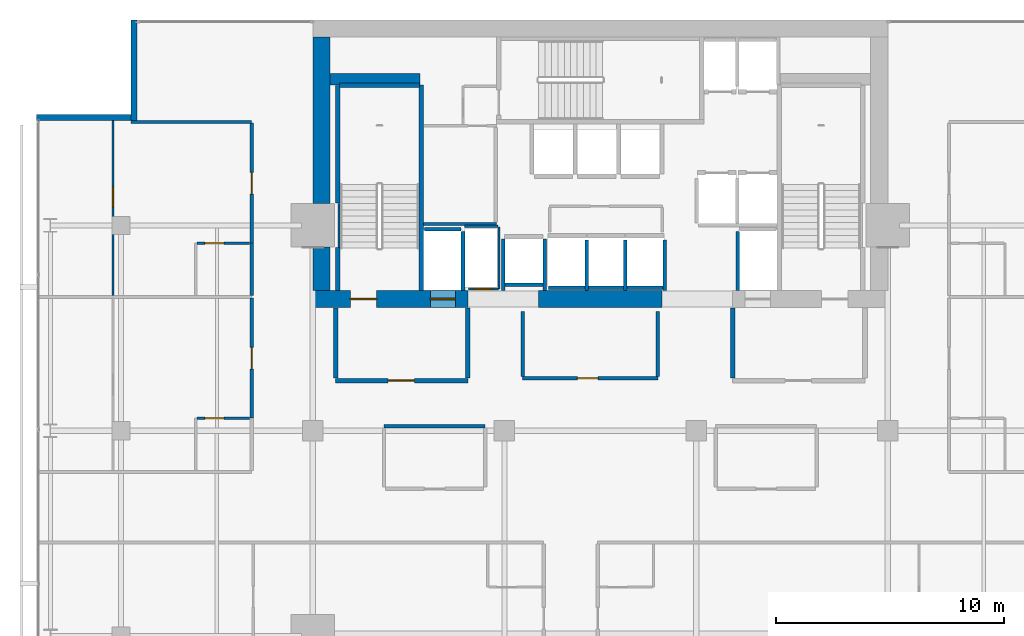
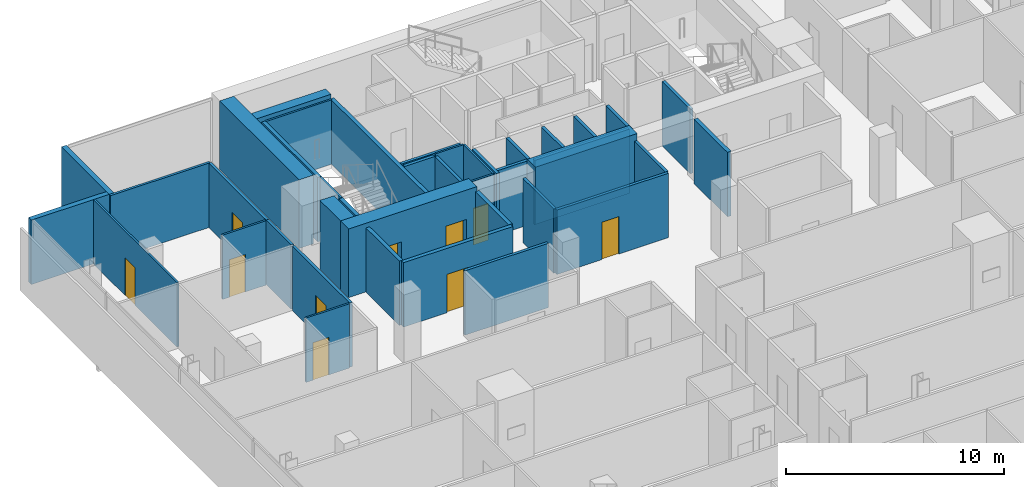
# One storey, part 29 of 33: 41 walls, 10 doors, 10 openings.
"""IFC4 building model written with IfcOpenShell, lengths in metres."""

from ifc_helpers import new_model, si_unit, direction, frame, frame_2d, origin, place, context, subcontext, project, spatial, rectangle, extrude, material, layer, layer_set, type_object, element, fill, save


model = new_model("IFC4")

# Units and contexts
model_context = context("Model", 3, precision=1e-05, world=origin(), true_north=direction((0.0, 1.0)))
body_context = subcontext(model_context, "Body", "Model", "MODEL_VIEW")
ifc_project = project(units=[si_unit("LENGTHUNIT", "METRE"), si_unit("AREAUNIT", "SQUARE_METRE"), si_unit("VOLUMEUNIT", "CUBIC_METRE"), si_unit("PLANEANGLEUNIT", "RADIAN"), si_unit("MASSUNIT", "GRAM", prefix="KILO")], contexts=[model_context])

# Site, building, storey
site_placement = place(None, origin())
site = spatial("IfcSite", under=ifc_project, at=site_placement, CompositionType="ELEMENT")
building_placement = place(site_placement, origin())
building = spatial("IfcBuilding", under=site, at=building_placement, Name="Maruvema Waterfront Hotel and Observation Tower", CompositionType="ELEMENT")
storey_placement = place(building_placement, frame((0.0, 0.0, 138.949951171875)))
storey = spatial("IfcBuildingStorey", under=building, at=storey_placement, Name="L33", CompositionType="ELEMENT", Elevation=138.949951171875)

# Wall
ifc_material_1 = material(Name="Twin-stud acoustic gypsum drywall", Category="gypsum")
ifc_layer_1 = layer(ifc_material_1, 0.14990234375, Name="Acoustic Corridor and Suite Demising Wall 150 mm")
ifc_layer_set_1 = layer_set([ifc_layer_1], Name="Twin-stud acoustic gypsum drywall")
wall_type_1 = type_object("IfcWallType", Name="Acoustic Corridor and Suite Demising Wall 150 mm", PredefinedType="PARTITIONING", material=ifc_layer_set_1)
wall_1_placement = place(storey_placement, frame((30.06005859375, 45.06005859375, 0.0), z_axis=(0.0, 0.0, 1.0), x_axis=(1.0, 0.0, 0.0)))
element("IfcWall", 1, at=wall_1_placement, inside=storey, type_object=wall_type_1, Name="L33 Freed B1 South Wall 013", PredefinedType="PARTITIONING", context=body_context, shape_type="SweptSolid", body=[
    extrude(rectangle(XDim=3.179931640625, YDim=0.14990234375, at=frame_2d((1.58984375, 0.0))), origin(), (0.0, 0.0, 1.0), 3.610107421875),
])

# Wall, opening, door
wall_2_placement = place(storey_placement, frame((34.39990234375, 38.300048828125, 0.0), z_axis=(0.0, 0.0, 1.0), x_axis=(1.0, 0.0, 0.0)))
wall_2 = element("IfcWall", 2, at=wall_2_placement, inside=storey, type_object=wall_type_1, Name="L33 Core Apron K0 South 018", PredefinedType="PARTITIONING", context=body_context, shape_type="SweptSolid", body=[
    extrude(rectangle(XDim=5.920166015625, YDim=0.14990234375, at=frame_2d((2.9599609375, 0.0))), origin(), (0.0, 0.0, 1.0), 3.610107421875),
])
opening_1_placement = place(wall_2_placement, frame((2.39990234375, 0.0, 0.0)))
opening_1 = element("IfcOpeningElement", 3, at=opening_1_placement, cuts=wall_2, Name="Opening DR-090", PredefinedType="OPENING", context=body_context, shape_type="SweptSolid", body=[
    extrude(rectangle(XDim=0.89990234375, YDim=2.10009765625, at=frame_2d((0.449951171875, 1.050048828125))), frame((0.0, 0.0849609375, 0.0), z_axis=(0.0, -1.0, 0.0), x_axis=(1.0, 0.0, 0.0)), (0.0, 0.0, 1.0), 0.169921875),
])
ifc_material_2 = material(Name="Solid-core lacquered timber leaf", Category="wood")
door_type_1 = type_object("IfcDoorType", Name="Accessible Toilet and Room Door 900x2100 mm", OperationType="NOTDEFINED", PredefinedType="DOOR", material=ifc_material_2)
door_1_placement = place(opening_1_placement, frame((0.89990234375, 0.0, 0.0), z_axis=(0.0, 0.0, 1.0), x_axis=(-1.0, 0.0, 0.0)))
door_1 = element("IfcDoor", 4, at=door_1_placement, inside=storey, type_object=door_type_1, Name="L33 Core Valet Room Door", OperationType="SINGLE_SWING_LEFT", OverallHeight=2.10009765625, OverallWidth=0.89990234375, PredefinedType="DOOR", context=body_context, shape_type="SweptSolid", body=[
    extrude(rectangle(XDim=0.89990234375, YDim=2.10009765625, at=frame_2d((0.449951171875, 1.050048828125))), frame((0.0, 0.02490234375, 0.0), z_axis=(0.0, -1.0, 0.0), x_axis=(1.0, 0.0, 0.0)), (0.0, 0.0, 1.0), 0.050048828125),
])
fill(opening_1, door_1)

# Walls
for number, where, z_axis, x_axis, name in (
    (5, (34.39990234375, 38.3798828125, 0.0), (0.0, 0.0, 1.0), (0.0, 1.0, 0.0), "L33 Core Apron K0 West 019"),
    (6, (40.320068359375, 38.3798828125, 0.0), (0.0, 0.0, 1.0), (0.0, 1.0, 0.0), "L33 Core Apron K0 East 020"),
):
    element("IfcWall", number, at=place(storey_placement, frame(where, z_axis=z_axis, x_axis=x_axis)), inside=storey, type_object=wall_type_1, Name=name, PredefinedType="PARTITIONING", context=body_context, shape_type="SweptSolid", body=[
        extrude(rectangle(XDim=2.840087890625, YDim=0.14990234375, at=frame_2d((1.419921875, 0.0))), origin(), (0.0, 0.0, 1.0), 3.610107421875),
    ])
wall_3_placement = place(storey_placement, frame((28.320068359375, 36.199951171875, 0.0), z_axis=(0.0, 0.0, 1.0), x_axis=(1.0, 0.0, 0.0)))
element("IfcWall", 7, at=wall_3_placement, inside=storey, type_object=wall_type_1, Name="L33 L33-M1 Back Wall 021", PredefinedType="PARTITIONING", context=body_context, shape_type="SweptSolid", body=[
    extrude(rectangle(XDim=4.429931640625, YDim=0.14990234375, at=frame_2d((2.21484375, 0.0))), origin(), (0.0, 0.0, 1.0), 3.610107421875),
])

# Wall, opening, door
wall_4_placement = place(storey_placement, frame((22.52001953125, 36.550048828125, 0.0), z_axis=(0.0, 0.0, 1.0), x_axis=(0.0, 1.0, 0.0)))
wall_4 = element("IfcWall", 8, at=wall_4_placement, inside=storey, type_object=wall_type_1, Name="L33 Room L33-NW1 Corridor Wall 101", PredefinedType="PARTITIONING", context=body_context, shape_type="SweptSolid", body=[
    extrude(rectangle(XDim=5.2587890625, YDim=0.14990234375, at=frame_2d((2.62939453125, 0.0))), origin(), (0.0, 0.0, 1.0), 3.610107421875),
])
opening_2_placement = place(wall_4_placement, frame((2.154296875, 0.0, 0.0)))
opening_2 = element("IfcOpeningElement", 9, at=opening_2_placement, cuts=wall_4, Name="Opening DR-095", PredefinedType="OPENING", context=body_context, shape_type="SweptSolid", body=[
    extrude(rectangle(XDim=0.949951171875, YDim=2.14990234375, at=frame_2d((0.47509765625, 1.074951171875))), frame((0.0, 0.0849609375, 0.0), z_axis=(0.0, -1.0, 0.0), x_axis=(1.0, 0.0, 0.0)), (0.0, 0.0, 1.0), 0.169921875),
])
ifc_material_3 = material(Name="Acoustic solid-core hardwood timber leaf", Category="wood")
door_type_2 = type_object("IfcDoorType", Name="Guestroom Entrance Fire Door 950x2150 mm", OperationType="NOTDEFINED", PredefinedType="DOOR", material=ifc_material_3)
door_2_placement = place(opening_2_placement, origin())
door_2 = element("IfcDoor", 10, at=door_2_placement, inside=storey, type_object=door_type_2, Name="L33 Room L33-NW1 Entrance Door", OperationType="SINGLE_SWING_LEFT", OverallHeight=2.14990234375, OverallWidth=0.949951171875, PredefinedType="DOOR", context=body_context, shape_type="SweptSolid", body=[
    extrude(rectangle(XDim=0.949951171875, YDim=2.14990234375, at=frame_2d((0.47509765625, 1.074951171875))), frame((0.0, 0.02490234375, 0.0), z_axis=(0.0, -1.0, 0.0), x_axis=(1.0, 0.0, 0.0)), (0.0, 0.0, 1.0), 0.050048828125),
])
fill(opening_2, door_2)

# Wall
wall_5_placement = place(storey_placement, frame((22.52001953125, 41.9287109375, 0.0), z_axis=(0.0, 0.0, 1.0), x_axis=(0.0, 1.0, 0.0)))
element("IfcWall", 11, at=wall_5_placement, inside=storey, type_object=wall_type_1, Name="L33 Bath L33-NW2 Wall 112", PredefinedType="PARTITIONING", context=body_context, shape_type="SweptSolid", body=[
    extrude(rectangle(XDim=2.2900390625, YDim=0.14990234375, at=frame_2d((1.14501953125, 0.0))), origin(), (0.0, 0.0, 1.0), 3.610107421875),
])

# Wall, opening, door
wall_6_placement = place(storey_placement, frame((22.52001953125, 44.21875, 0.0), z_axis=(0.0, 0.0, 1.0), x_axis=(0.0, 1.0, 0.0)))
wall_6 = element("IfcWall", 12, at=wall_6_placement, inside=storey, type_object=wall_type_1, Name="L33 Room L33-NW2 Corridor Wall 113", PredefinedType="PARTITIONING", context=body_context, shape_type="SweptSolid", body=[
    extrude(rectangle(XDim=5.2587890625, YDim=0.14990234375, at=frame_2d((2.62939453125, 0.0))), origin(), (0.0, 0.0, 1.0), 3.610107421875),
])
opening_3_placement = place(wall_6_placement, frame((2.154296875, 0.0, 0.0)))
opening_3 = element("IfcOpeningElement", 13, at=opening_3_placement, cuts=wall_6, Name="Opening DR-095", PredefinedType="OPENING", context=body_context, shape_type="SweptSolid", body=[
    extrude(rectangle(XDim=0.949951171875, YDim=2.14990234375, at=frame_2d((0.47509765625, 1.074951171875))), frame((0.0, 0.0849609375, 0.0), z_axis=(0.0, -1.0, 0.0), x_axis=(1.0, 0.0, 0.0)), (0.0, 0.0, 1.0), 0.169921875),
])
door_3_placement = place(opening_3_placement, origin())
door_3 = element("IfcDoor", 14, at=door_3_placement, inside=storey, type_object=door_type_2, Name="L33 Room L33-NW2 Entrance Door", OperationType="SINGLE_SWING_LEFT", OverallHeight=2.14990234375, OverallWidth=0.949951171875, PredefinedType="DOOR", context=body_context, shape_type="SweptSolid", body=[
    extrude(rectangle(XDim=0.949951171875, YDim=2.14990234375, at=frame_2d((0.47509765625, 1.074951171875))), frame((0.0, 0.02490234375, 0.0), z_axis=(0.0, -1.0, 0.0), x_axis=(1.0, 0.0, 0.0)), (0.0, 0.0, 1.0), 0.050048828125),
])
fill(opening_3, door_3)

# Walls
ifc_material_4 = material(Name="Precast concrete C45/55", Category="concrete")
ifc_layer_2 = layer(ifc_material_4, 0.199951171875, Name="Core Shaft and Stairwell Enclosure Wall 200 mm")
ifc_layer_set_2 = layer_set([ifc_layer_2], Name="Precast concrete C45/55")
wall_type_2 = type_object("IfcWallType", Name="Core Shaft and Stairwell Enclosure Wall 200 mm", PredefinedType="SOLIDWALL", material=ifc_layer_set_2)
wall_7_placement = place(storey_placement, frame((29.949951171875, 42.14990234375, 0.0), z_axis=(0.0, 0.0, 1.0), x_axis=(0.0, 1.0, 0.0)))
element("IfcWall", 15, at=wall_7_placement, inside=storey, type_object=wall_type_2, Name="L33 Stairwell ST-01 East Shaft Wall", PredefinedType="SOLIDWALL", context=body_context, shape_type="SweptSolid", body=[
    extrude(rectangle(XDim=9.0, YDim=0.199951171875, at=frame_2d((4.5, 0.0))), origin(), (0.0, 0.0, 1.0), 3.610107421875),
])
wall_8_placement = place(storey_placement, frame((26.300048828125, 42.14990234375, 0.0), z_axis=(0.0, 0.0, 1.0), x_axis=(0.0, 1.0, 0.0)))
element("IfcWall", 16, at=wall_8_placement, inside=storey, type_object=wall_type_2, Name="L33 Stairwell ST-01 Shaft Lining Wall", PredefinedType="SOLIDWALL", context=body_context, shape_type="SweptSolid", body=[
    extrude(rectangle(XDim=1.8701171875, YDim=0.199951171875, at=frame_2d((0.93505859375, 0.0))), origin(), (0.0, 0.0, 1.0), 3.610107421875),
])
wall_9_placement = place(storey_placement, frame((26.300048828125, 45.97998046875, 0.0), z_axis=(0.0, 0.0, 1.0), x_axis=(0.0, 1.0, 0.0)))
element("IfcWall", 17, at=wall_9_placement, inside=storey, type_object=wall_type_2, Name="L33 Stairwell ST-01 Shaft Lining Wall", PredefinedType="SOLIDWALL", context=body_context, shape_type="SweptSolid", body=[
    extrude(rectangle(XDim=5.14013671875, YDim=0.199951171875, at=frame_2d((2.570068359375, 0.0))), origin(), (0.0, 0.0, 1.0), 3.610107421875),
])
wall_10_placement = place(storey_placement, frame((26.3798828125, 51.14990234375, 0.0), z_axis=(0.0, 0.0, 1.0), x_axis=(1.0, 0.0, 0.0)))
element("IfcWall", 18, at=wall_10_placement, inside=storey, type_object=wall_type_2, Name="L33 Stairwell ST-01 Shaft Lining Wall", PredefinedType="SOLIDWALL", context=body_context, shape_type="SweptSolid", body=[
    extrude(rectangle(XDim=3.5, YDim=0.199951171875, at=frame_2d((1.75, 0.0))), origin(), (0.0, 0.0, 1.0), 3.610107421875),
])
ifc_material_5 = material(Name="Concrete C70/85", Category="concrete")
ifc_layer_3 = layer(ifc_material_5, 0.5, Name="Core Shear Wall 500 mm")
ifc_layer_set_3 = layer_set([ifc_layer_3], Name="Concrete C70/85")
wall_type_3 = type_object("IfcWallType", Name="Core Shear Wall 500 mm", PredefinedType="SHEAR", material=ifc_layer_set_3)
wall_11_placement = place(storey_placement, frame((25.949951171875, 51.39990234375, 0.0), z_axis=(0.0, 0.0, 1.0), x_axis=(1.0, 0.0, 0.0)))
element("IfcWall", 19, at=wall_11_placement, inside=storey, type_object=wall_type_3, Name="L33 Internal Core Shear Wall NW 500 mm", PredefinedType="SHEAR", context=body_context, shape_type="SweptSolid", body=[
    extrude(rectangle(XDim=3.949951171875, YDim=0.5, at=frame_2d((1.97509765625, 0.0))), origin(), (0.0, 0.0, 1.0), 3.85009765625),
])

# Wall, openings, doors
ifc_material_6 = material(Name="Concrete C70/85", Category="concrete")
ifc_layer_4 = layer(ifc_material_6, 0.75, Name="Core Shear Wall 750 mm")
ifc_layer_set_4 = layer_set([ifc_layer_4], Name="Concrete C70/85")
wall_type_4 = type_object("IfcWallType", Name="Core Shear Wall 750 mm", PredefinedType="SHEAR", material=ifc_layer_set_4)
wall_12_placement = place(storey_placement, frame((25.199951171875, 41.77490234375, 0.0), z_axis=(0.0, 0.0, 1.0), x_axis=(1.0, 0.0, 0.0)))
wall_12 = element("IfcWall", 20, at=wall_12_placement, inside=storey, type_object=wall_type_4, Name="L33 South-West Core Shear Wall", PredefinedType="SHEAR", context=body_context, shape_type="SweptSolid", body=[
    extrude(rectangle(XDim=6.800048828125, YDim=0.75, at=frame_2d((3.39990234375, 0.0))), origin(), (0.0, 0.0, 1.0), 3.85009765625),
])
opening_4_placement = place(wall_12_placement, frame((1.64990234375, 0.0, 0.0)))
opening_4 = element("IfcOpeningElement", 21, at=opening_4_placement, cuts=wall_12, Name="Opening SD-01", PredefinedType="OPENING", context=body_context, shape_type="SweptSolid", body=[
    extrude(rectangle(XDim=1.14990234375, YDim=2.14990234375, at=frame_2d((0.574951171875, 1.074951171875))), frame((0.0, 0.385009765625, 0.0), z_axis=(0.0, -1.0, 0.0), x_axis=(1.0, 0.0, 0.0)), (0.0, 0.0, 1.0), 0.77001953125),
])
opening_5_placement = place(wall_12_placement, frame((5.14990234375, 0.0, 0.0)))
opening_5 = element("IfcOpeningElement", 22, at=opening_5_placement, cuts=wall_12, Name="Opening LD-03", PredefinedType="OPENING", context=body_context, shape_type="SweptSolid", body=[
    extrude(rectangle(XDim=1.10009765625, YDim=2.199951171875, at=frame_2d((0.550048828125, 1.10009765625))), frame((0.0, 0.385009765625, 0.0), z_axis=(0.0, -1.0, 0.0), x_axis=(1.0, 0.0, 0.0)), (0.0, 0.0, 1.0), 0.77001953125),
])
ifc_material_7 = material(Name="Fire-rated galvanised steel leaf", Category="steel")
door_type_3 = type_object("IfcDoorType", Name="Exit Stair Fire Door 1150x2150 mm", OperationType="NOTDEFINED", PredefinedType="DOOR", material=ifc_material_7)
door_4_placement = place(opening_4_placement, origin())
door_4 = element("IfcDoor", 23, at=door_4_placement, inside=storey, type_object=door_type_3, Name="L33 Exit Stair ST-01 Fire Door", OperationType="SINGLE_SWING_LEFT", OverallHeight=2.14990234375, OverallWidth=1.14990234375, PredefinedType="DOOR", context=body_context, shape_type="SweptSolid", body=[
    extrude(rectangle(XDim=1.14990234375, YDim=2.14990234375, at=frame_2d((0.574951171875, 1.074951171875))), frame((0.0, 0.02490234375, 0.0), z_axis=(0.0, -1.0, 0.0), x_axis=(1.0, 0.0, 0.0)), (0.0, 0.0, 1.0), 0.050048828125),
])
fill(opening_4, door_4)
ifc_material_8 = material(Name="Brushed stainless steel Grade 316", Category="steel")
door_type_4 = type_object("IfcDoorType", Name="Firefighting Lift Sliding Landing Door 1100x2200 mm", OperationType="SLIDING_TO_LEFT", PredefinedType="DOOR", material=ifc_material_8)
door_5_placement = place(opening_5_placement, frame((1.10009765625, 0.0, 0.0), z_axis=(0.0, 0.0, 1.0), x_axis=(-1.0, 0.0, 0.0)))
door_5 = element("IfcDoor", 24, at=door_5_placement, inside=storey, type_object=door_type_4, Name="L33 Firefighting Lift FL-01 Landing Door", OperationType="SLIDING_TO_LEFT", OverallHeight=2.199951171875, OverallWidth=1.10009765625, PredefinedType="DOOR", context=body_context, shape_type="SweptSolid", body=[
    extrude(rectangle(XDim=1.10009765625, YDim=2.199951171875, at=frame_2d((0.550048828125, 1.10009765625))), frame((0.0, 0.02490234375, 0.0), z_axis=(0.0, -1.0, 0.0), x_axis=(1.0, 0.0, 0.0)), (0.0, 0.0, 1.0), 0.050048828125),
])
fill(opening_5, door_5)

# Walls
wall_13_placement = place(storey_placement, frame((35.10009765625, 41.77490234375, 0.0), z_axis=(0.0, 0.0, 1.0), x_axis=(1.0, 0.0, 0.0)))
element("IfcWall", 25, at=wall_13_placement, inside=storey, type_object=wall_type_4, Name="L33 South-Central Core Shear Wall", PredefinedType="SHEAR", context=body_context, shape_type="SweptSolid", body=[
    extrude(rectangle(XDim=5.39990234375, YDim=0.75, at=frame_2d((2.699951171875, 0.0))), origin(), (0.0, 0.0, 1.0), 3.85009765625),
])
wall_14_placement = place(storey_placement, frame((25.574951171875, 42.14990234375, 0.0), z_axis=(0.0, 0.0, 1.0), x_axis=(0.0, 1.0, 0.0)))
element("IfcWall", 26, at=wall_14_placement, inside=storey, type_object=wall_type_4, Name="L33 West-South Core Shear Wall", PredefinedType="SHEAR", context=body_context, shape_type="SweptSolid", body=[
    extrude(rectangle(XDim=1.900146484375, YDim=0.75, at=frame_2d((0.9501953125, 0.0))), origin(), (0.0, 0.0, 1.0), 3.85009765625),
])
wall_15_placement = place(storey_placement, frame((25.574951171875, 45.949951171875, 0.0), z_axis=(0.0, 0.0, 1.0), x_axis=(0.0, 1.0, 0.0)))
element("IfcWall", 27, at=wall_15_placement, inside=storey, type_object=wall_type_4, Name="L33 West-North Core Shear Wall", PredefinedType="SHEAR", context=body_context, shape_type="SweptSolid", body=[
    extrude(rectangle(XDim=7.300048828125, YDim=0.75, at=frame_2d((3.64990234375, 0.0))), origin(), (0.0, 0.0, 1.0), 3.85009765625),
])

# Wall, opening, door
ifc_material_9 = material(Name="Moisture-resistant cement-board drywall", Category="gypsum")
ifc_layer_5 = layer(ifc_material_9, 0.10009765625, Name="En-Suite Moisture-Resistant Partition 100 mm")
ifc_layer_set_5 = layer_set([ifc_layer_5], Name="Moisture-resistant cement-board drywall")
wall_type_5 = type_object("IfcWallType", Name="En-Suite Moisture-Resistant Partition 100 mm", PredefinedType="PARTITIONING", material=ifc_layer_set_5)
wall_16_placement = place(storey_placement, frame((32.02001953125, 42.2099609375, 0.0), z_axis=(0.0, 0.0, 1.0), x_axis=(1.0, 0.0, 0.0)))
wall_16 = element("IfcWall", 28, at=wall_16_placement, inside=storey, type_object=wall_type_5, Name="L33 Telecom Riser South Wall 007", PredefinedType="PARTITIONING", context=body_context, shape_type="SweptSolid", body=[
    extrude(rectangle(XDim=1.320068359375, YDim=0.10009765625, at=frame_2d((0.66015625, 0.0))), origin(), (0.0, 0.0, 1.0), 3.610107421875),
])
opening_6_placement = place(wall_16_placement, frame((0.239990234375, 0.0, 0.0)))
opening_6 = element("IfcOpeningElement", 29, at=opening_6_placement, cuts=wall_16, Name="Opening DR-080", PredefinedType="OPENING", context=body_context, shape_type="SweptSolid", body=[
    extrude(rectangle(XDim=0.800048828125, YDim=2.050048828125, at=frame_2d((0.39990234375, 1.02490234375))), frame((0.0, 0.06005859375, 0.0), z_axis=(0.0, -1.0, 0.0), x_axis=(1.0, 0.0, 0.0)), (0.0, 0.0, 1.0), 0.1201171875),
])
ifc_material_10 = material(Name="Powder-coated steel access leaf", Category="steel")
door_type_5 = type_object("IfcDoorType", Name="Riser and Service Cupboard Door 800x2050 mm", OperationType="NOTDEFINED", PredefinedType="DOOR", material=ifc_material_10)
door_6_placement = place(opening_6_placement, frame((0.800048828125, 0.0, 0.0), z_axis=(0.0, 0.0, 1.0), x_axis=(-1.0, 0.0, 0.0)))
door_6 = element("IfcDoor", 30, at=door_6_placement, inside=storey, type_object=door_type_5, Name="L33 Telecom Riser Door", OperationType="SINGLE_SWING_LEFT", OverallHeight=2.050048828125, OverallWidth=0.800048828125, PredefinedType="DOOR", context=body_context, shape_type="SweptSolid", body=[
    extrude(rectangle(XDim=0.800048828125, YDim=2.050048828125, at=frame_2d((0.39990234375, 1.02490234375))), frame((0.0, 0.02490234375, 0.0), z_axis=(0.0, -1.0, 0.0), x_axis=(1.0, 0.0, 0.0)), (0.0, 0.0, 1.0), 0.050048828125),
])
fill(opening_6, door_6)

# Walls
wall_17_placement = place(storey_placement, frame((31.840087890625, 44.9599609375, 0.0), z_axis=(0.0, 0.0, 1.0), x_axis=(1.0, 0.0, 0.0)))
element("IfcWall", 31, at=wall_17_placement, inside=storey, type_object=wall_type_5, Name="L33 Telecom Riser North Wall 008", PredefinedType="PARTITIONING", context=body_context, shape_type="SweptSolid", body=[
    extrude(rectangle(XDim=1.47998046875, YDim=0.10009765625, at=frame_2d((0.739990234375, 0.0))), origin(), (0.0, 0.0, 1.0), 3.610107421875),
])
wall_18_placement = place(storey_placement, frame((33.360107421875, 42.2099609375, 0.0), z_axis=(0.0, 0.0, 1.0), x_axis=(0.0, 1.0, 0.0)))
element("IfcWall", 32, at=wall_18_placement, inside=storey, type_object=wall_type_5, Name="L33 Telecom Riser East Wall 009", PredefinedType="PARTITIONING", context=body_context, shape_type="SweptSolid", body=[
    extrude(rectangle(XDim=2.72998046875, YDim=0.10009765625, at=frame_2d((1.364990234375, 0.0))), origin(), (0.0, 0.0, 1.0), 3.610107421875),
])

# Wall, opening, door
wall_19_placement = place(storey_placement, frame((20.1201171875, 36.550048828125, 0.0), z_axis=(0.0, 0.0, 1.0), x_axis=(1.0, 0.0, 0.0)))
wall_19 = element("IfcWall", 33, at=wall_19_placement, inside=storey, type_object=wall_type_5, Name="L33 En-Suite L33-NW1 N 103", PredefinedType="PARTITIONING", context=body_context, shape_type="SweptSolid", body=[
    extrude(rectangle(XDim=2.2998046875, YDim=0.10009765625, at=frame_2d((1.14990234375, 0.0))), origin(), (0.0, 0.0, 1.0), 3.610107421875),
])
opening_7_placement = place(wall_19_placement, frame((0.35009765625, 0.0, 0.0)))
opening_7 = element("IfcOpeningElement", 34, at=opening_7_placement, cuts=wall_19, Name="Opening DR-085", PredefinedType="OPENING", context=body_context, shape_type="SweptSolid", body=[
    extrude(rectangle(XDim=0.85009765625, YDim=2.10009765625, at=frame_2d((0.425048828125, 1.050048828125))), frame((0.0, 0.06005859375, 0.0), z_axis=(0.0, -1.0, 0.0), x_axis=(1.0, 0.0, 0.0)), (0.0, 0.0, 1.0), 0.1201171875),
])
ifc_material_11 = material(Name="Moisture-resistant solid timber leaf", Category="wood")
door_type_6 = type_object("IfcDoorType", Name="En-Suite Bathroom Door 850x2100 mm", OperationType="NOTDEFINED", PredefinedType="DOOR", material=ifc_material_11)
door_7_placement = place(opening_7_placement, origin())
door_7 = element("IfcDoor", 35, at=door_7_placement, inside=storey, type_object=door_type_6, Name="L33 En-Suite L33-NW1 Door", OperationType="SINGLE_SWING_RIGHT", OverallHeight=2.10009765625, OverallWidth=0.85009765625, PredefinedType="DOOR", context=body_context, shape_type="SweptSolid", body=[
    extrude(rectangle(XDim=0.85009765625, YDim=2.10009765625, at=frame_2d((0.425048828125, 1.050048828125))), frame((0.0, 0.02490234375, 0.0), z_axis=(0.0, -1.0, 0.0), x_axis=(1.0, 0.0, 0.0)), (0.0, 0.0, 1.0), 0.050048828125),
])
fill(opening_7, door_7)

wall_20_placement = place(storey_placement, frame((20.1201171875, 44.21875, 0.0), z_axis=(0.0, 0.0, 1.0), x_axis=(1.0, 0.0, 0.0)))
wall_20 = element("IfcWall", 36, at=wall_20_placement, inside=storey, type_object=wall_type_5, Name="L33 En-Suite L33-NW2 N 115", PredefinedType="PARTITIONING", context=body_context, shape_type="SweptSolid", body=[
    extrude(rectangle(XDim=2.2998046875, YDim=0.10009765625, at=frame_2d((1.14990234375, 0.0))), origin(), (0.0, 0.0, 1.0), 3.610107421875),
])
opening_8_placement = place(wall_20_placement, frame((0.35009765625, 0.0, 0.0)))
opening_8 = element("IfcOpeningElement", 37, at=opening_8_placement, cuts=wall_20, Name="Opening DR-085", PredefinedType="OPENING", context=body_context, shape_type="SweptSolid", body=[
    extrude(rectangle(XDim=0.85009765625, YDim=2.10009765625, at=frame_2d((0.425048828125, 1.050048828125))), frame((0.0, 0.06005859375, 0.0), z_axis=(0.0, -1.0, 0.0), x_axis=(1.0, 0.0, 0.0)), (0.0, 0.0, 1.0), 0.1201171875),
])
door_8_placement = place(opening_8_placement, origin())
door_8 = element("IfcDoor", 38, at=door_8_placement, inside=storey, type_object=door_type_6, Name="L33 En-Suite L33-NW2 Door", OperationType="SINGLE_SWING_RIGHT", OverallHeight=2.10009765625, OverallWidth=0.85009765625, PredefinedType="DOOR", context=body_context, shape_type="SweptSolid", body=[
    extrude(rectangle(XDim=0.85009765625, YDim=2.10009765625, at=frame_2d((0.425048828125, 1.050048828125))), frame((0.0, 0.02490234375, 0.0), z_axis=(0.0, -1.0, 0.0), x_axis=(1.0, 0.0, 0.0)), (0.0, 0.0, 1.0), 0.050048828125),
])
fill(opening_8, door_8)

wall_21_placement = place(storey_placement, frame((16.445556640625, 41.9287109375, 0.0), z_axis=(0.0, 0.0, 1.0), x_axis=(0.0, 1.0, 0.0)))
wall_21 = element("IfcWall", 39, at=wall_21_placement, inside=storey, type_object=wall_type_5, Name="L33 Suite L33-NW2 Split 116", PredefinedType="PARTITIONING", context=body_context, shape_type="SweptSolid", body=[
    extrude(rectangle(XDim=7.668701171875, YDim=0.10009765625, at=frame_2d((3.83447265625, 0.0))), origin(), (0.0, 0.0, 1.0), 3.610107421875),
])
opening_9_placement = place(wall_21_placement, frame((3.8642578125, 0.0, 0.0)))
opening_9 = element("IfcOpeningElement", 40, at=opening_9_placement, cuts=wall_21, Name="Opening DR-090", PredefinedType="OPENING", context=body_context, shape_type="SweptSolid", body=[
    extrude(rectangle(XDim=0.89990234375, YDim=2.10009765625, at=frame_2d((0.449951171875, 1.050048828125))), frame((0.0, 0.06005859375, 0.0), z_axis=(0.0, -1.0, 0.0), x_axis=(1.0, 0.0, 0.0)), (0.0, 0.0, 1.0), 0.1201171875),
])
door_9_placement = place(opening_9_placement, origin())
door_9 = element("IfcDoor", 41, at=door_9_placement, inside=storey, type_object=door_type_1, Name="L33 Suite L33-NW2 Bedroom Door", OperationType="SINGLE_SWING_RIGHT", OverallHeight=2.10009765625, OverallWidth=0.89990234375, PredefinedType="DOOR", context=body_context, shape_type="SweptSolid", body=[
    extrude(rectangle(XDim=0.89990234375, YDim=2.10009765625, at=frame_2d((0.449951171875, 1.050048828125))), frame((0.0, 0.02490234375, 0.0), z_axis=(0.0, -1.0, 0.0), x_axis=(1.0, 0.0, 0.0)), (0.0, 0.0, 1.0), 0.050048828125),
])
fill(opening_9, door_9)

# Walls
ifc_material_12 = material(Name="Precast concrete C45/55 with honed Pernambuco granite facing", Category="masonry")
ifc_layer_6 = layer(ifc_material_12, 0.260009765625, Name="Exterior Granite Clad Spandrel and Pier Wall 260 mm")
ifc_layer_set_6 = layer_set([ifc_layer_6], Name="Precast concrete C45/55 with honed Pernambuco granite facing")
wall_type_6 = type_object("IfcWallType", Name="Exterior Granite Clad Spandrel and Pier Wall 260 mm", PredefinedType="SOLIDWALL", material=ifc_layer_set_6)
for number, where, z_axis, x_axis, name in (
    (42, (17.3701171875, 49.60009765625, 0.0), (0.0, 0.0, 1.0), (0.0, 1.0, 0.0), "L33 Corner Notch Granite Pier Wall NW1"),
    (43, (13.10009765625, 49.72998046875, 0.0), (0.0, 0.0, 1.0), (1.0, 0.0, 0.0), "L33 Corner Notch Granite Pier Wall NW2"),
):
    element("IfcWall", number, at=place(storey_placement, frame(where, z_axis=z_axis, x_axis=x_axis)), inside=storey, type_object=wall_type_6, Name=name, PredefinedType="SOLIDWALL", context=body_context, shape_type="SweptSolid", body=[
        extrude(rectangle(XDim=4.39990234375, YDim=0.260009765625, at=frame_2d((2.199951171875, 0.0))), origin(), (0.0, 0.0, 1.0), 3.610107421875),
    ])

# Wall, opening, door
ifc_material_13 = material(Name="Autoclaved cellular concrete blockwork", Category="masonry")
ifc_layer_7 = layer(ifc_material_13, 0.199951171875, Name="Fire Compartment Masonry Wall 200 mm")
ifc_layer_set_7 = layer_set([ifc_layer_7], Name="Autoclaved cellular concrete blockwork")
wall_type_7 = type_object("IfcWallType", Name="Fire Compartment Masonry Wall 200 mm", PredefinedType="PARTITIONING", material=ifc_layer_set_7)
wall_22_placement = place(storey_placement, frame((26.199951171875, 38.199951171875, 0.0), z_axis=(0.0, 0.0, 1.0), x_axis=(1.0, 0.0, 0.0)))
wall_22 = element("IfcWall", 44, at=wall_22_placement, inside=storey, type_object=wall_type_7, Name="L33 FFL West South Wall 001", PredefinedType="PARTITIONING", context=body_context, shape_type="SweptSolid", body=[
    extrude(rectangle(XDim=5.800048828125, YDim=0.199951171875, at=frame_2d((2.89990234375, 0.0))), origin(), (0.0, 0.0, 1.0), 3.610107421875),
])
opening_10_placement = place(wall_22_placement, frame((2.300048828125, 0.0, 0.0)))
opening_10 = element("IfcOpeningElement", 45, at=opening_10_placement, cuts=wall_22, Name="Opening FD-115", PredefinedType="OPENING", context=body_context, shape_type="SweptSolid", body=[
    extrude(rectangle(XDim=1.14990234375, YDim=2.14990234375, at=frame_2d((0.574951171875, 1.074951171875))), frame((0.0, 0.10986328125, 0.0), z_axis=(0.0, -1.0, 0.0), x_axis=(1.0, 0.0, 0.0)), (0.0, 0.0, 1.0), 0.219970703125),
])
ifc_material_14 = material(Name="Fire-rated galvanised steel and vision glass", Category="steel")
door_type_7 = type_object("IfcDoorType", Name="Firefighting Lobby Fire Door 1150x2150 mm", OperationType="NOTDEFINED", PredefinedType="DOOR", material=ifc_material_14)
door_10_placement = place(opening_10_placement, frame((1.14990234375, 0.0, 0.0), z_axis=(0.0, 0.0, 1.0), x_axis=(-1.0, 0.0, 0.0)))
door_10 = element("IfcDoor", 46, at=door_10_placement, inside=storey, type_object=door_type_7, Name="L33 Firefighting Lobby West Door", OperationType="SINGLE_SWING_LEFT", OverallHeight=2.14990234375, OverallWidth=1.14990234375, PredefinedType="DOOR", context=body_context, shape_type="SweptSolid", body=[
    extrude(rectangle(XDim=1.14990234375, YDim=2.14990234375, at=frame_2d((0.574951171875, 1.074951171875))), frame((0.0, 0.02490234375, 0.0), z_axis=(0.0, -1.0, 0.0), x_axis=(1.0, 0.0, 0.0)), (0.0, 0.0, 1.0), 0.050048828125),
])
fill(opening_10, door_10)

# Walls
for number, where, z_axis, x_axis, name in (
    (47, (26.199951171875, 38.31005859375, 0.0), (0.0, 0.0, 1.0), (0.0, 1.0, 0.0), "L33 FFL West West Wall 002"),
    (48, (32.0, 38.31005859375, 0.0), (0.0, 0.0, 1.0), (0.0, 1.0, 0.0), "L33 FFL West East Wall 003"),
    (49, (43.60009765625, 38.31005859375, 0.0), (0.0, 0.0, 1.0), (0.0, 1.0, 0.0), "L33 FFL East West Wall 005"),
):
    element("IfcWall", number, at=place(storey_placement, frame(where, z_axis=z_axis, x_axis=x_axis)), inside=storey, type_object=wall_type_7, Name=name, PredefinedType="PARTITIONING", context=body_context, shape_type="SweptSolid", body=[
        extrude(rectangle(XDim=3.06982421875, YDim=0.199951171875, at=frame_2d((1.534912109375, 0.0))), origin(), (0.0, 0.0, 1.0), 3.610107421875),
    ])
ifc_material_15 = material(Name="Acoustic gypsum plasterboard drywall", Category="gypsum")
ifc_layer_8 = layer(ifc_material_15, 0.125, Name="Guestroom Acoustic Demising Wall 125 mm")
ifc_layer_set_8 = layer_set([ifc_layer_8], Name="Acoustic gypsum plasterboard drywall")
wall_type_8 = type_object("IfcWallType", Name="Guestroom Acoustic Demising Wall 125 mm", PredefinedType="PARTITIONING", material=ifc_layer_set_8)
wall_23_placement = place(storey_placement, frame((17.239990234375, 49.53759765625, 0.0), z_axis=(0.0, 0.0, 1.0), x_axis=(1.0, 0.0, 0.0)))
element("IfcWall", 50, at=wall_23_placement, inside=storey, type_object=wall_type_8, Name="L33 Z2 NW Top End 098", PredefinedType="PARTITIONING", context=body_context, shape_type="SweptSolid", body=[
    extrude(rectangle(XDim=5.280029296875, YDim=0.125, at=frame_2d((2.64013671875, 0.0))), origin(), (0.0, 0.0, 1.0), 3.610107421875),
])
ifc_material_16 = material(Name="Precast concrete C45/55", Category="concrete")
ifc_layer_9 = layer(ifc_material_16, 0.159912109375, Name="Lift Hoistway Divider Wall 160 mm")
ifc_layer_set_9 = layer_set([ifc_layer_9], Name="Precast concrete C45/55")
wall_type_9 = type_object("IfcWallType", Name="Lift Hoistway Divider Wall 160 mm", PredefinedType="SOLIDWALL", material=ifc_layer_set_9)
wall_24_placement = place(storey_placement, frame((30.10009765625, 44.830078125, 0.0), z_axis=(0.0, 0.0, 1.0), x_axis=(1.0, 0.0, 0.0)))
element("IfcWall", 51, at=wall_24_placement, inside=storey, type_object=wall_type_9, Name="L33 Lift FL-01 Rear Hoistway Wall", PredefinedType="SOLIDWALL", context=body_context, shape_type="SweptSolid", body=[
    extrude(rectangle(XDim=1.599853515625, YDim=0.159912109375, at=frame_2d((0.7998046875, 0.0))), origin(), (0.0, 0.0, 1.0), 3.610107421875),
])
for number, where, z_axis, x_axis, name in (
    (52, (31.780029296875, 42.14990234375, 0.0), (0.0, 0.0, 1.0), (0.0, 1.0, 0.0), "L33 Lift FL-01 Inner Hoistway Wall"),
    (53, (43.820068359375, 42.14990234375, 0.0), (0.0, 0.0, 1.0), (0.0, 1.0, 0.0), "L33 Lift FL-02 Inner Hoistway Wall"),
):
    element("IfcWall", number, at=place(storey_placement, frame(where, z_axis=z_axis, x_axis=x_axis)), inside=storey, type_object=wall_type_9, Name=name, PredefinedType="SOLIDWALL", context=body_context, shape_type="SweptSolid", body=[
        extrude(rectangle(XDim=2.590087890625, YDim=0.159912109375, at=frame_2d((1.294921875, 0.0))), origin(), (0.0, 0.0, 1.0), 3.610107421875),
    ])
for number, where, z_axis, x_axis, name in (
    (54, (37.199951171875, 42.14990234375, 0.0), (0.0, 0.0, 1.0), (0.0, 1.0, 0.0), "L33 Hoistway Divider Wall"),
    (55, (38.89990234375, 42.14990234375, 0.0), (0.0, 0.0, 1.0), (0.0, 1.0, 0.0), "L33 Hoistway Divider Wall"),
    (56, (40.6201171875, 42.14990234375, 0.0), (0.0, 0.0, 1.0), (0.0, 1.0, 0.0), "L33 Hoistway Divider Wall"),
):
    element("IfcWall", number, at=place(storey_placement, frame(where, z_axis=z_axis, x_axis=x_axis)), inside=storey, type_object=wall_type_9, Name=name, PredefinedType="SOLIDWALL", context=body_context, shape_type="SweptSolid", body=[
        extrude(rectangle(XDim=2.2001953125, YDim=0.159912109375, at=frame_2d((1.10009765625, 0.0))), origin(), (0.0, 0.0, 1.0), 3.610107421875),
    ])
wall_25_placement = place(storey_placement, frame((35.52001953125, 42.260009765625, 0.0), z_axis=(0.0, 0.0, 1.0), x_axis=(1.0, 0.0, 0.0)))
element("IfcWall", 57, at=wall_25_placement, inside=storey, type_object=wall_type_9, Name="L33 Hoistway Divider Wall", PredefinedType="SOLIDWALL", context=body_context, shape_type="SweptSolid", body=[
    extrude(rectangle(XDim=5.02001953125, YDim=0.159912109375, at=frame_2d((2.510009765625, 0.0))), origin(), (0.0, 0.0, 1.0), 3.610107421875),
])
for number, where, z_axis, x_axis, name in (
    (58, (33.5400390625, 42.14990234375, 0.0), (0.0, 0.0, 1.0), (0.0, 1.0, 0.0), "L33 Hoistway Divider Wall"),
    (59, (35.360107421875, 42.14990234375, 0.0), (0.0, 0.0, 1.0), (0.0, 1.0, 0.0), "L33 Hoistway Divider Wall"),
):
    element("IfcWall", number, at=place(storey_placement, frame(where, z_axis=z_axis, x_axis=x_axis)), inside=storey, type_object=wall_type_9, Name=name, PredefinedType="SOLIDWALL", context=body_context, shape_type="SweptSolid", body=[
        extrude(rectangle(XDim=2.25, YDim=0.159912109375, at=frame_2d((1.125, 0.0))), origin(), (0.0, 0.0, 1.0), 3.610107421875),
    ])
wall_26_placement = place(storey_placement, frame((33.6201171875, 42.39990234375, 0.0), z_axis=(0.0, 0.0, 1.0), x_axis=(1.0, 0.0, 0.0)))
element("IfcWall", 60, at=wall_26_placement, inside=storey, type_object=wall_type_9, Name="L33 Hoistway Divider Wall", PredefinedType="SOLIDWALL", context=body_context, shape_type="SweptSolid", body=[
    extrude(rectangle(XDim=1.659912109375, YDim=0.159912109375, at=frame_2d((0.830078125, 0.0))), origin(), (0.0, 0.0, 1.0), 3.610107421875),
])
ifc_material_17 = material(Name="Precast concrete C45/55", Category="concrete")
ifc_layer_10 = layer(ifc_material_17, 0.10009765625, Name="Stairwell Stringer Cheek Wall 100 mm")
ifc_layer_set_10 = layer_set([ifc_layer_10], Name="Precast concrete C45/55")
wall_type_10 = type_object("IfcWallType", Name="Stairwell Stringer Cheek Wall 100 mm", PredefinedType="SOLIDWALL", material=ifc_layer_set_10)
wall_27_placement = place(storey_placement, frame((26.35205078125, 44.0400390625, 0.0), z_axis=(0.0, 0.0, 1.0), x_axis=(0.0, 1.0, 0.0)))
element("IfcWall", 61, at=wall_27_placement, inside=storey, type_object=wall_type_10, Name="L33 Stairwell ST-01 Mega-Column Cheek Wall", PredefinedType="SOLIDWALL", context=body_context, shape_type="SweptSolid", body=[
    extrude(rectangle(XDim=1.919921875, YDim=0.10009765625, at=frame_2d((0.9599609375, 0.0))), origin(), (0.0, 0.0, 1.0), 3.610107421875),
])

save(model, "model.ifc")
